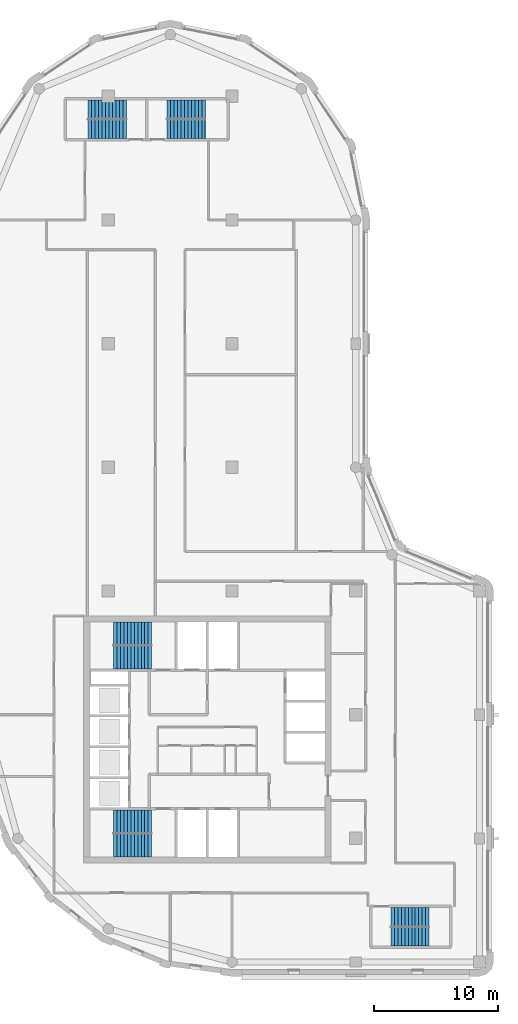
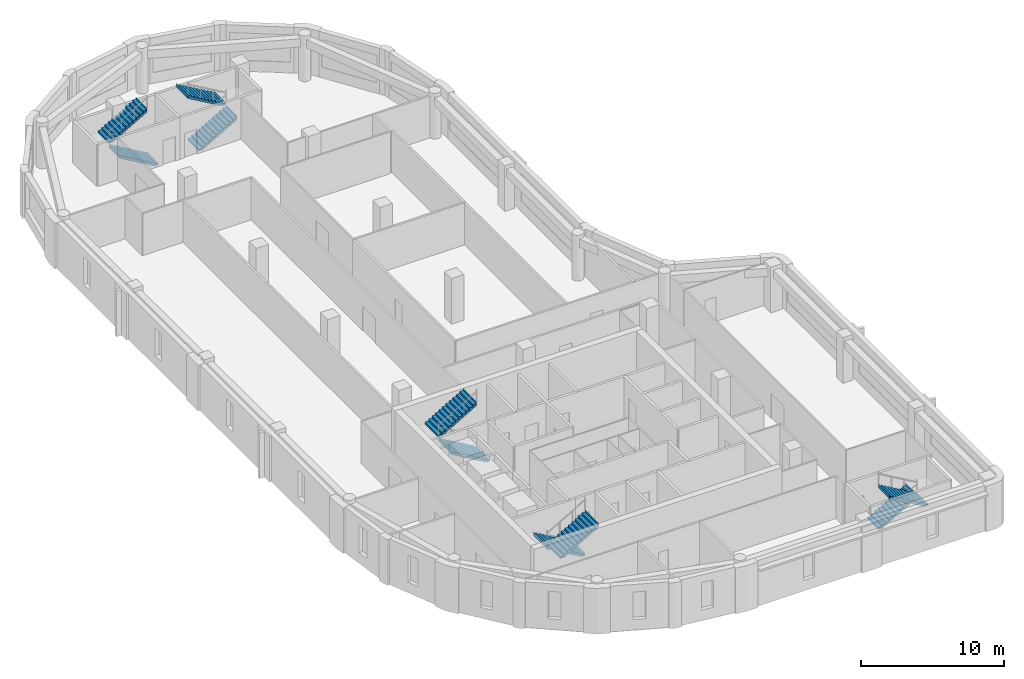
# One storey, part 6 of 8: 10 stair flights, 5 elements without a shape of their own.
"""IFC4 building model written with IfcOpenShell, lengths in metres."""

from ifc_helpers import new_model, si_unit, direction, frame, origin, place, context, subcontext, project, spatial, polyline, outline, extrude, material, type_object, element, aggregate, save


model = new_model("IFC4")

# Units and contexts
model_context = context("Model", 3, precision=1e-05, world=origin(), true_north=direction((0.0, 1.0)))
body_context = subcontext(model_context, "Body", "Model", "MODEL_VIEW")
ifc_project = project(units=[si_unit("LENGTHUNIT", "METRE"), si_unit("AREAUNIT", "SQUARE_METRE"), si_unit("VOLUMEUNIT", "CUBIC_METRE"), si_unit("PLANEANGLEUNIT", "RADIAN"), si_unit("MASSUNIT", "GRAM", prefix="KILO")], contexts=[model_context])

# Site, building, storey
site_placement = place(None, origin())
site = spatial("IfcSite", under=ifc_project, at=site_placement, CompositionType="ELEMENT")
building_placement = place(site_placement, origin())
building = spatial("IfcBuilding", under=site, at=building_placement, Name="Qaws Garden Tower", CompositionType="ELEMENT")
storey_placement = place(building_placement, frame((0.0, 0.0, 309.89990234375)))
storey = spatial("IfcBuildingStorey", under=building, at=storey_placement, Name="L75", CompositionType="ELEMENT", Elevation=309.89990234375)

# Stair, stair flights
ifc_material_1 = material(Name="Concrete C40", Category="concrete")
stair_type_1 = type_object("IfcStairType", Name="Exit stair 1350", PredefinedType="HALF_TURN_STAIR", material=ifc_material_1)
placement = place(storey_placement, origin())
stair_1 = element("IfcStair", 1, at=placement, inside=storey, type_object=stair_type_1, Name="Stair 5", PredefinedType="HALF_TURN_STAIR")
ifc_material_2 = material(Name="Concrete C40", Category="concrete")
stair_flight_type_1 = type_object("IfcStairFlightType", Name="Stair flight 1350", PredefinedType="STRAIGHT", material=ifc_material_2)
stair_flight_1_placement = place(storey_placement, frame((32.85009765625, 3.625, 0.0), z_axis=(0.0, 0.0, 1.0), x_axis=(1.0, 0.0, 0.0)))
stair_flight_1 = element("IfcStairFlight", 2, at=stair_flight_1_placement, type_object=stair_flight_type_1, Name="ST5 flight 1", NumberOfRisers=12, NumberOfTreads=11, PredefinedType="STRAIGHT", RiserHeight=0.1625, TreadLength=0.28, context=body_context, shape_type="SweptSolid", body=[
    extrude(outline(polyline([(-0.0029296875, 0.0), (-0.0029296875, 0.16259765625), (0.0, 0.16259765625), (0.280029296875, 0.16259765625), (0.280029296875, 0.324951171875), (0.56005859375, 0.324951171875), (0.56005859375, 0.487548828125), (0.840087890625, 0.487548828125), (0.840087890625, 0.64990234375), (1.1201171875, 0.64990234375), (1.1201171875, 0.8125), (1.39990234375, 0.8125), (1.39990234375, 0.97509765625), (1.679931640625, 0.97509765625), (1.679931640625, 1.137451171875), (1.9599609375, 1.137451171875), (1.9599609375, 1.300048828125), (2.239990234375, 1.300048828125), (2.239990234375, 1.46240234375), (2.52001953125, 1.46240234375), (2.52001953125, 1.625), (2.800048828125, 1.625), (2.800048828125, 1.78759765625), (3.080078125, 1.78759765625), (3.080078125, 1.949951171875), (3.0830078125, 1.949951171875), (3.0830078125, 1.6142578125), (3.080078125, 1.6142578125), (0.298583984375, 0.0), (-0.0029296875, 0.0)])), frame((0.0, 0.77490234375, 0.0), z_axis=(0.0, -1.0, 0.0), x_axis=(1.0, 0.0, 0.0)), (0.0, 0.0, 1.0), 1.550048828125),
])
stair_flight_2_placement = place(storey_placement, frame((35.929931640625, 2.074951171875, 1.9501953125), z_axis=(0.0, 0.0, 1.0), x_axis=(-1.0, 0.0, 0.0)))
stair_flight_2 = element("IfcStairFlight", 3, at=stair_flight_2_placement, type_object=stair_flight_type_1, Name="ST5 flight 2", NumberOfRisers=12, NumberOfTreads=11, PredefinedType="STRAIGHT", RiserHeight=0.1625, TreadLength=0.28, context=body_context, shape_type="SweptSolid", body=[
    extrude(outline(polyline([(-0.0029296875, 0.0), (-0.0029296875, 0.16259765625), (0.0, 0.16259765625), (0.280029296875, 0.16259765625), (0.280029296875, 0.324951171875), (0.56005859375, 0.324951171875), (0.56005859375, 0.487548828125), (0.840087890625, 0.487548828125), (0.840087890625, 0.64990234375), (1.1201171875, 0.64990234375), (1.1201171875, 0.8125), (1.39990234375, 0.8125), (1.39990234375, 0.97509765625), (1.679931640625, 0.97509765625), (1.679931640625, 1.137451171875), (1.9599609375, 1.137451171875), (1.9599609375, 1.300048828125), (2.239990234375, 1.300048828125), (2.239990234375, 1.46240234375), (2.52001953125, 1.46240234375), (2.52001953125, 1.625), (2.800048828125, 1.625), (2.800048828125, 1.78759765625), (3.080078125, 1.78759765625), (3.080078125, 1.949951171875), (3.0830078125, 1.949951171875), (3.0830078125, 1.6142578125), (3.080078125, 1.6142578125), (0.298583984375, 0.0), (-0.0029296875, 0.0)])), frame((0.0, 0.77490234375, 0.0), z_axis=(0.0, -1.0, 0.0), x_axis=(1.0, 0.0, 0.0)), (0.0, 0.0, 1.0), 1.550048828125),
])
aggregate(stair_1, [stair_flight_1, stair_flight_2])

stair_2 = element("IfcStair", 4, at=placement, inside=storey, type_object=stair_type_1, Name="Stair 6", PredefinedType="HALF_TURN_STAIR")
stair_flight_3_placement = place(storey_placement, frame((11.449951171875, 67.375, 0.0), z_axis=(0.0, 0.0, 1.0), x_axis=(-1.0, 0.0, 0.0)))
stair_flight_3 = element("IfcStairFlight", 5, at=stair_flight_3_placement, type_object=stair_flight_type_1, Name="ST6 flight 1", NumberOfRisers=12, NumberOfTreads=11, PredefinedType="STRAIGHT", RiserHeight=0.1625, TreadLength=0.28, context=body_context, shape_type="SweptSolid", body=[
    extrude(outline(polyline([(-0.0029296875, 0.0), (-0.0029296875, 0.16259765625), (0.0, 0.16259765625), (0.280029296875, 0.16259765625), (0.280029296875, 0.324951171875), (0.56005859375, 0.324951171875), (0.56005859375, 0.487548828125), (0.840087890625, 0.487548828125), (0.840087890625, 0.64990234375), (1.1201171875, 0.64990234375), (1.1201171875, 0.8125), (1.39990234375, 0.8125), (1.39990234375, 0.97509765625), (1.679931640625, 0.97509765625), (1.679931640625, 1.137451171875), (1.9599609375, 1.137451171875), (1.9599609375, 1.300048828125), (2.239990234375, 1.300048828125), (2.239990234375, 1.46240234375), (2.52001953125, 1.46240234375), (2.52001953125, 1.625), (2.800048828125, 1.625), (2.800048828125, 1.78759765625), (3.080078125, 1.78759765625), (3.080078125, 1.949951171875), (3.0830078125, 1.949951171875), (3.0830078125, 1.6142578125), (3.080078125, 1.6142578125), (0.298583984375, 0.0), (-0.0029296875, 0.0)])), frame((0.0, 0.77490234375, 0.0), z_axis=(0.0, -1.0, 0.0), x_axis=(1.0, 0.0, 0.0)), (0.0, 0.0, 1.0), 1.550048828125),
])
stair_flight_4_placement = place(storey_placement, frame((8.3701171875, 68.925048828125, 1.9501953125), z_axis=(0.0, 0.0, 1.0), x_axis=(1.0, 0.0, 0.0)))
stair_flight_4 = element("IfcStairFlight", 6, at=stair_flight_4_placement, type_object=stair_flight_type_1, Name="ST6 flight 2", NumberOfRisers=12, NumberOfTreads=11, PredefinedType="STRAIGHT", RiserHeight=0.1625, TreadLength=0.28, context=body_context, shape_type="SweptSolid", body=[
    extrude(outline(polyline([(-0.0029296875, 0.0), (-0.0029296875, 0.16259765625), (0.0, 0.16259765625), (0.280029296875, 0.16259765625), (0.280029296875, 0.324951171875), (0.56005859375, 0.324951171875), (0.56005859375, 0.487548828125), (0.840087890625, 0.487548828125), (0.840087890625, 0.64990234375), (1.1201171875, 0.64990234375), (1.1201171875, 0.8125), (1.39990234375, 0.8125), (1.39990234375, 0.97509765625), (1.679931640625, 0.97509765625), (1.679931640625, 1.137451171875), (1.9599609375, 1.137451171875), (1.9599609375, 1.300048828125), (2.239990234375, 1.300048828125), (2.239990234375, 1.46240234375), (2.52001953125, 1.46240234375), (2.52001953125, 1.625), (2.800048828125, 1.625), (2.800048828125, 1.78759765625), (3.080078125, 1.78759765625), (3.080078125, 1.949951171875), (3.0830078125, 1.949951171875), (3.0830078125, 1.6142578125), (3.080078125, 1.6142578125), (0.298583984375, 0.0), (-0.0029296875, 0.0)])), frame((0.0, 0.77490234375, 0.0), z_axis=(0.0, -1.0, 0.0), x_axis=(1.0, 0.0, 0.0)), (0.0, 0.0, 1.0), 1.550048828125),
])
aggregate(stair_2, [stair_flight_3, stair_flight_4])

stair_3 = element("IfcStair", 7, at=placement, inside=storey, type_object=stair_type_1, Name="Stair 7", PredefinedType="HALF_TURN_STAIR")
stair_flight_5_placement = place(storey_placement, frame((14.75, 67.375, 0.0), z_axis=(0.0, 0.0, 1.0), x_axis=(1.0, 0.0, 0.0)))
stair_flight_5 = element("IfcStairFlight", 8, at=stair_flight_5_placement, type_object=stair_flight_type_1, Name="ST7 flight 1", NumberOfRisers=12, NumberOfTreads=11, PredefinedType="STRAIGHT", RiserHeight=0.1625, TreadLength=0.28, context=body_context, shape_type="SweptSolid", body=[
    extrude(outline(polyline([(-0.0029296875, 0.0), (-0.0029296875, 0.16259765625), (0.0, 0.16259765625), (0.280029296875, 0.16259765625), (0.280029296875, 0.324951171875), (0.56005859375, 0.324951171875), (0.56005859375, 0.487548828125), (0.840087890625, 0.487548828125), (0.840087890625, 0.64990234375), (1.1201171875, 0.64990234375), (1.1201171875, 0.8125), (1.39990234375, 0.8125), (1.39990234375, 0.97509765625), (1.679931640625, 0.97509765625), (1.679931640625, 1.137451171875), (1.9599609375, 1.137451171875), (1.9599609375, 1.300048828125), (2.239990234375, 1.300048828125), (2.239990234375, 1.46240234375), (2.52001953125, 1.46240234375), (2.52001953125, 1.625), (2.800048828125, 1.625), (2.800048828125, 1.78759765625), (3.080078125, 1.78759765625), (3.080078125, 1.949951171875), (3.0830078125, 1.949951171875), (3.0830078125, 1.6142578125), (3.080078125, 1.6142578125), (0.298583984375, 0.0), (-0.0029296875, 0.0)])), frame((0.0, 0.77490234375, 0.0), z_axis=(0.0, -1.0, 0.0), x_axis=(1.0, 0.0, 0.0)), (0.0, 0.0, 1.0), 1.550048828125),
])
stair_flight_6_placement = place(storey_placement, frame((17.830078125, 68.925048828125, 1.9501953125), z_axis=(0.0, 0.0, 1.0), x_axis=(-1.0, 0.0, 0.0)))
stair_flight_6 = element("IfcStairFlight", 9, at=stair_flight_6_placement, type_object=stair_flight_type_1, Name="ST7 flight 2", NumberOfRisers=12, NumberOfTreads=11, PredefinedType="STRAIGHT", RiserHeight=0.1625, TreadLength=0.28, context=body_context, shape_type="SweptSolid", body=[
    extrude(outline(polyline([(-0.0029296875, 0.0), (-0.0029296875, 0.16259765625), (0.0, 0.16259765625), (0.280029296875, 0.16259765625), (0.280029296875, 0.324951171875), (0.56005859375, 0.324951171875), (0.56005859375, 0.487548828125), (0.840087890625, 0.487548828125), (0.840087890625, 0.64990234375), (1.1201171875, 0.64990234375), (1.1201171875, 0.8125), (1.39990234375, 0.8125), (1.39990234375, 0.97509765625), (1.679931640625, 0.97509765625), (1.679931640625, 1.137451171875), (1.9599609375, 1.137451171875), (1.9599609375, 1.300048828125), (2.239990234375, 1.300048828125), (2.239990234375, 1.46240234375), (2.52001953125, 1.46240234375), (2.52001953125, 1.625), (2.800048828125, 1.625), (2.800048828125, 1.78759765625), (3.080078125, 1.78759765625), (3.080078125, 1.949951171875), (3.0830078125, 1.949951171875), (3.0830078125, 1.6142578125), (3.080078125, 1.6142578125), (0.298583984375, 0.0), (-0.0029296875, 0.0)])), frame((0.0, 0.77490234375, 0.0), z_axis=(0.0, -1.0, 0.0), x_axis=(1.0, 0.0, 0.0)), (0.0, 0.0, 1.0), 1.550048828125),
])
aggregate(stair_3, [stair_flight_5, stair_flight_6])

ifc_material_3 = material(Name="Concrete C40", Category="concrete")
stair_type_2 = type_object("IfcStairType", Name="Exit stair 1500", PredefinedType="HALF_TURN_STAIR", material=ifc_material_3)
stair_4 = element("IfcStair", 10, at=placement, inside=storey, type_object=stair_type_2, Name="Stair 1", PredefinedType="HALF_TURN_STAIR")
ifc_material_4 = material(Name="Concrete C40", Category="concrete")
stair_flight_type_2 = type_object("IfcStairFlightType", Name="Stair flight 1500", PredefinedType="STRAIGHT", material=ifc_material_4)
stair_flight_7_placement = place(storey_placement, frame((13.5, 11.35009765625, 0.0), z_axis=(0.0, 0.0, 1.0), x_axis=(-1.0, 0.0, 0.0)))
stair_flight_7 = element("IfcStairFlight", 11, at=stair_flight_7_placement, type_object=stair_flight_type_2, Name="ST1 flight 1", NumberOfRisers=12, NumberOfTreads=11, PredefinedType="STRAIGHT", RiserHeight=0.1625, TreadLength=0.28, context=body_context, shape_type="SweptSolid", body=[
    extrude(outline(polyline([(-0.0029296875, 0.0), (-0.0029296875, 0.16259765625), (0.0, 0.16259765625), (0.280029296875, 0.16259765625), (0.280029296875, 0.324951171875), (0.56005859375, 0.324951171875), (0.56005859375, 0.487548828125), (0.840087890625, 0.487548828125), (0.840087890625, 0.64990234375), (1.1201171875, 0.64990234375), (1.1201171875, 0.8125), (1.39990234375, 0.8125), (1.39990234375, 0.97509765625), (1.679931640625, 0.97509765625), (1.679931640625, 1.137451171875), (1.9599609375, 1.137451171875), (1.9599609375, 1.300048828125), (2.239990234375, 1.300048828125), (2.239990234375, 1.46240234375), (2.52001953125, 1.46240234375), (2.52001953125, 1.625), (2.800048828125, 1.625), (2.800048828125, 1.78759765625), (3.080078125, 1.78759765625), (3.080078125, 1.949951171875), (3.0830078125, 1.949951171875), (3.0830078125, 1.6142578125), (3.080078125, 1.6142578125), (0.298583984375, 0.0), (-0.0029296875, 0.0)])), frame((0.0, 0.949951171875, 0.0), z_axis=(0.0, -1.0, 0.0), x_axis=(1.0, 0.0, 0.0)), (0.0, 0.0, 1.0), 1.89990234375),
])
stair_flight_8_placement = place(storey_placement, frame((10.419921875, 9.449951171875, 1.9501953125), z_axis=(0.0, 0.0, 1.0), x_axis=(1.0, 0.0, 0.0)))
stair_flight_8 = element("IfcStairFlight", 12, at=stair_flight_8_placement, type_object=stair_flight_type_2, Name="ST1 flight 2", NumberOfRisers=12, NumberOfTreads=11, PredefinedType="STRAIGHT", RiserHeight=0.1625, TreadLength=0.28, context=body_context, shape_type="SweptSolid", body=[
    extrude(outline(polyline([(-0.0029296875, 0.0), (-0.0029296875, 0.16259765625), (0.0, 0.16259765625), (0.280029296875, 0.16259765625), (0.280029296875, 0.324951171875), (0.56005859375, 0.324951171875), (0.56005859375, 0.487548828125), (0.840087890625, 0.487548828125), (0.840087890625, 0.64990234375), (1.1201171875, 0.64990234375), (1.1201171875, 0.8125), (1.39990234375, 0.8125), (1.39990234375, 0.97509765625), (1.679931640625, 0.97509765625), (1.679931640625, 1.137451171875), (1.9599609375, 1.137451171875), (1.9599609375, 1.300048828125), (2.239990234375, 1.300048828125), (2.239990234375, 1.46240234375), (2.52001953125, 1.46240234375), (2.52001953125, 1.625), (2.800048828125, 1.625), (2.800048828125, 1.78759765625), (3.080078125, 1.78759765625), (3.080078125, 1.949951171875), (3.0830078125, 1.949951171875), (3.0830078125, 1.6142578125), (3.080078125, 1.6142578125), (0.298583984375, 0.0), (-0.0029296875, 0.0)])), frame((0.0, 0.949951171875, 0.0), z_axis=(0.0, -1.0, 0.0), x_axis=(1.0, 0.0, 0.0)), (0.0, 0.0, 1.0), 1.89990234375),
])
aggregate(stair_4, [stair_flight_7, stair_flight_8])

stair_5 = element("IfcStair", 13, at=placement, inside=storey, type_object=stair_type_2, Name="Stair 4", PredefinedType="HALF_TURN_STAIR")
stair_flight_9_placement = place(storey_placement, frame((13.5, 24.64990234375, 0.0), z_axis=(0.0, 0.0, 1.0), x_axis=(-1.0, 0.0, 0.0)))
stair_flight_9 = element("IfcStairFlight", 14, at=stair_flight_9_placement, type_object=stair_flight_type_2, Name="ST4 flight 1", NumberOfRisers=12, NumberOfTreads=11, PredefinedType="STRAIGHT", RiserHeight=0.1625, TreadLength=0.28, context=body_context, shape_type="SweptSolid", body=[
    extrude(outline(polyline([(-0.0029296875, 0.0), (-0.0029296875, 0.16259765625), (0.0, 0.16259765625), (0.280029296875, 0.16259765625), (0.280029296875, 0.324951171875), (0.56005859375, 0.324951171875), (0.56005859375, 0.487548828125), (0.840087890625, 0.487548828125), (0.840087890625, 0.64990234375), (1.1201171875, 0.64990234375), (1.1201171875, 0.8125), (1.39990234375, 0.8125), (1.39990234375, 0.97509765625), (1.679931640625, 0.97509765625), (1.679931640625, 1.137451171875), (1.9599609375, 1.137451171875), (1.9599609375, 1.300048828125), (2.239990234375, 1.300048828125), (2.239990234375, 1.46240234375), (2.52001953125, 1.46240234375), (2.52001953125, 1.625), (2.800048828125, 1.625), (2.800048828125, 1.78759765625), (3.080078125, 1.78759765625), (3.080078125, 1.949951171875), (3.0830078125, 1.949951171875), (3.0830078125, 1.6142578125), (3.080078125, 1.6142578125), (0.298583984375, 0.0), (-0.0029296875, 0.0)])), frame((0.0, 0.94482421875, 0.0), z_axis=(0.0, -1.0, 0.0), x_axis=(1.0, 0.0, 0.0)), (0.0, 0.0, 1.0), 1.889892578125),
])
stair_flight_10_placement = place(storey_placement, frame((10.419921875, 26.550048828125, 1.9501953125), z_axis=(0.0, 0.0, 1.0), x_axis=(1.0, 0.0, 0.0)))
stair_flight_10 = element("IfcStairFlight", 15, at=stair_flight_10_placement, type_object=stair_flight_type_2, Name="ST4 flight 2", NumberOfRisers=12, NumberOfTreads=11, PredefinedType="STRAIGHT", RiserHeight=0.1625, TreadLength=0.28, context=body_context, shape_type="SweptSolid", body=[
    extrude(outline(polyline([(-0.0029296875, 0.0), (-0.0029296875, 0.16259765625), (0.0, 0.16259765625), (0.280029296875, 0.16259765625), (0.280029296875, 0.324951171875), (0.56005859375, 0.324951171875), (0.56005859375, 0.487548828125), (0.840087890625, 0.487548828125), (0.840087890625, 0.64990234375), (1.1201171875, 0.64990234375), (1.1201171875, 0.8125), (1.39990234375, 0.8125), (1.39990234375, 0.97509765625), (1.679931640625, 0.97509765625), (1.679931640625, 1.137451171875), (1.9599609375, 1.137451171875), (1.9599609375, 1.300048828125), (2.239990234375, 1.300048828125), (2.239990234375, 1.46240234375), (2.52001953125, 1.46240234375), (2.52001953125, 1.625), (2.800048828125, 1.625), (2.800048828125, 1.78759765625), (3.080078125, 1.78759765625), (3.080078125, 1.949951171875), (3.0830078125, 1.949951171875), (3.0830078125, 1.6142578125), (3.080078125, 1.6142578125), (0.298583984375, 0.0), (-0.0029296875, 0.0)])), frame((0.0, 0.94482421875, 0.0), z_axis=(0.0, -1.0, 0.0), x_axis=(1.0, 0.0, 0.0)), (0.0, 0.0, 1.0), 1.889892578125),
])
aggregate(stair_5, [stair_flight_9, stair_flight_10])

save(model, "model.ifc")
